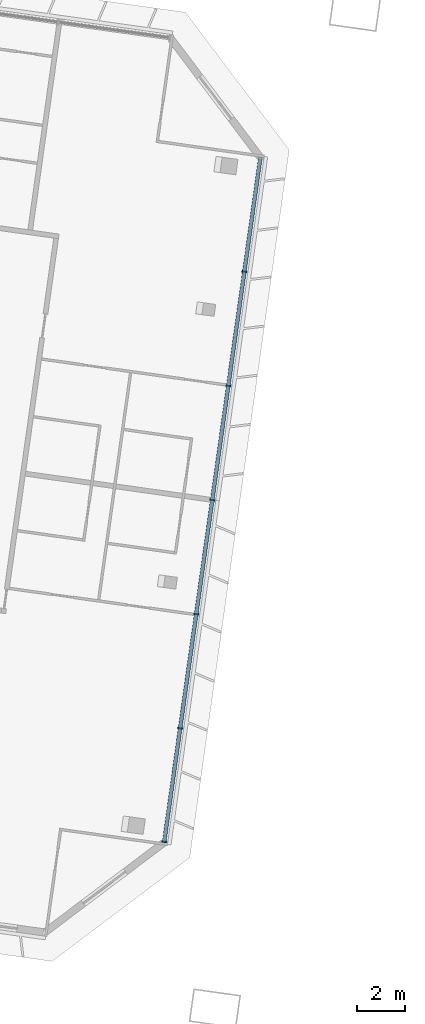
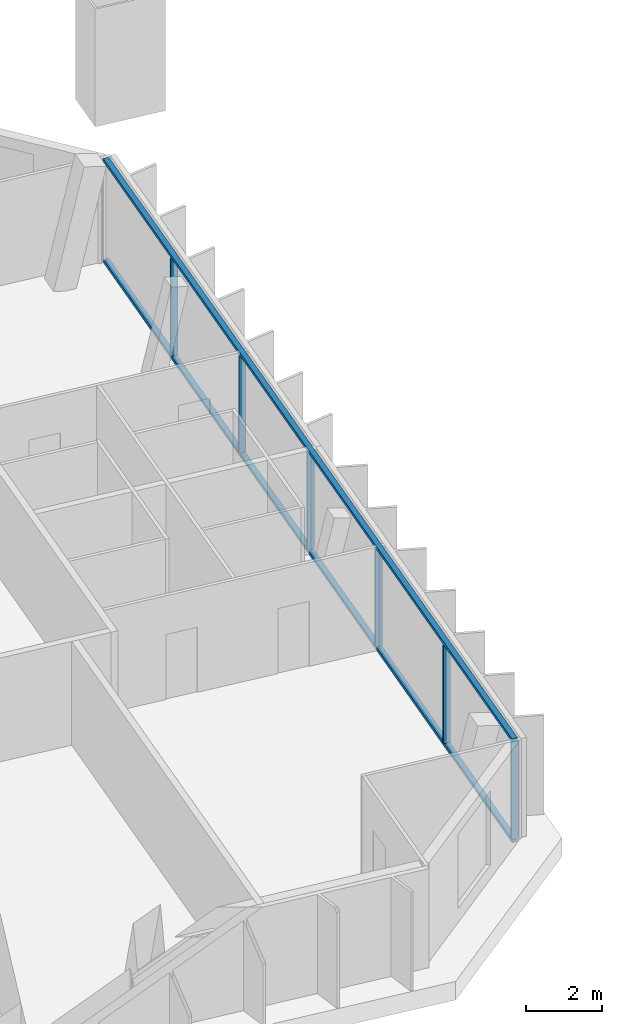
# One storey, part 5 of 25: 8 members, 1 element without a shape of its own.
"""IFC4 building model written with IfcOpenShell, lengths in metres."""

from ifc_helpers import new_model, si_unit, direction, frame, origin, origin_2d, place, context, subcontext, project, spatial, rectangle, extrude, material, material_profile, profile_set, type_object, element, aggregate, save


model = new_model("IFC4")

# Units and contexts
model_context = context("Model", 3, precision=1e-05, world=origin(), true_north=direction((0.0, 1.0)))
body_context = subcontext(model_context, "Body", "Model", "MODEL_VIEW")
ifc_project = project(units=[si_unit("LENGTHUNIT", "METRE"), si_unit("AREAUNIT", "SQUARE_METRE"), si_unit("VOLUMEUNIT", "CUBIC_METRE"), si_unit("PLANEANGLEUNIT", "RADIAN"), si_unit("MASSUNIT", "GRAM", prefix="KILO")], contexts=[model_context])

# Site, building, storey
site_placement = place(None, origin())
site = spatial("IfcSite", under=ifc_project, at=site_placement, CompositionType="ELEMENT")
building_placement = place(site_placement, origin())
building = spatial("IfcBuilding", under=site, at=building_placement, Name="Mirante Cascada Hotel Towers", CompositionType="ELEMENT")
storey_placement = place(building_placement, frame((0.0, 0.0, 247.0)))
storey = spatial("IfcBuildingStorey", under=building, at=storey_placement, Name="L59", CompositionType="ELEMENT", Elevation=247.0)

# Curtain wall, members
ifc_material_1 = material(Name="Aluminium mullion and transom frame with clear laminated glass", Category="aluminium")
curtain_wall_type = type_object("IfcCurtainWallType", Name="End ribbon curtain wall ECW2", PredefinedType="NOTDEFINED", material=ifc_material_1)
curtain_wall_placement = place(storey_placement, origin())
curtain_wall = element("IfcCurtainWall", 1, at=curtain_wall_placement, inside=storey, type_object=curtain_wall_type, Name="Inner end wall T1 L59", PredefinedType="NOTDEFINED")
ifc_material_2 = material(Name="Anodised aluminium extrusion", Category="aluminium")
ifc_material_profile_1 = material_profile(ifc_material_2, rectangle(XDim=0.2, YDim=0.065, at=origin_2d()), Name="ECW2 MULLION 65x200")
ifc_profile_set_1 = profile_set([ifc_material_profile_1], Name="Anodised aluminium extrusion")
member_type_1 = type_object("IfcMemberType", Name="ECW2 mullion 65x200", PredefinedType="MULLION", material=ifc_profile_set_1)
member_1_placement = place(storey_placement, frame((-17.9918, 6.0322, 0.1), z_axis=(0.0, 0.0, 1.0), x_axis=(0.9902681, -0.1391731, 0.0)))
member_1 = element("IfcMember", 2, at=member_1_placement, type_object=member_type_1, Name="ECW2 mullion 2", PredefinedType="MULLION", context=body_context, shape_type="SweptSolid", body=[
    extrude(rectangle(XDim=0.2, YDim=0.065, at=origin_2d()), origin(), (0.0, 0.0, 1.0), 3.15),
])
member_2_placement = place(storey_placement, frame((-18.6616, 1.2664, 0.1), z_axis=(0.0, 0.0, 1.0), x_axis=(0.9902681, -0.1391731, 0.0)))
member_2 = element("IfcMember", 3, at=member_2_placement, type_object=member_type_1, Name="ECW2 mullion 3", PredefinedType="MULLION", context=body_context, shape_type="SweptSolid", body=[
    extrude(rectangle(XDim=0.2, YDim=0.065, at=origin_2d()), origin(), (0.0, 0.0, 1.0), 3.15),
])
member_3_placement = place(storey_placement, frame((-19.3313, -3.4994, 0.1), z_axis=(0.0, 0.0, 1.0), x_axis=(0.9902681, -0.1391731, 0.0)))
member_3 = element("IfcMember", 4, at=member_3_placement, type_object=member_type_1, Name="ECW2 mullion 4", PredefinedType="MULLION", context=body_context, shape_type="SweptSolid", body=[
    extrude(rectangle(XDim=0.2, YDim=0.065, at=origin_2d()), origin(), (0.0, 0.0, 1.0), 3.15),
])
member_4_placement = place(storey_placement, frame((-20.0011, -8.2652, 0.1), z_axis=(0.0, 0.0, 1.0), x_axis=(0.9902681, -0.1391731, 0.0)))
member_4 = element("IfcMember", 5, at=member_4_placement, type_object=member_type_1, Name="ECW2 mullion 5", PredefinedType="MULLION", context=body_context, shape_type="SweptSolid", body=[
    extrude(rectangle(XDim=0.2, YDim=0.065, at=origin_2d()), origin(), (0.0, 0.0, 1.0), 3.15),
])
member_5_placement = place(storey_placement, frame((-20.6709, -13.031, 0.1), z_axis=(0.0, 0.0, 1.0), x_axis=(0.9902681, -0.1391731, 0.0)))
member_5 = element("IfcMember", 6, at=member_5_placement, type_object=member_type_1, Name="ECW2 mullion 6", PredefinedType="MULLION", context=body_context, shape_type="SweptSolid", body=[
    extrude(rectangle(XDim=0.2, YDim=0.065, at=origin_2d()), origin(), (0.0, 0.0, 1.0), 3.15),
])
member_6_placement = place(storey_placement, frame((-21.3362, -17.7646, 0.1), z_axis=(0.0, 0.0, 1.0), x_axis=(0.9902681, -0.1391731, 0.0)))
member_6 = element("IfcMember", 7, at=member_6_placement, type_object=member_type_1, Name="ECW2 mullion 7", PredefinedType="MULLION", context=body_context, shape_type="SweptSolid", body=[
    extrude(rectangle(XDim=0.2, YDim=0.065, at=origin_2d()), origin(), (0.0, 0.0, 1.0), 3.15),
])
ifc_material_3 = material(Name="Anodised aluminium extrusion", Category="aluminium")
ifc_material_profile_2 = material_profile(ifc_material_3, rectangle(XDim=0.16, YDim=0.1, at=origin_2d()), Name="ECW2 TRANSOM 100x160")
ifc_profile_set_2 = profile_set([ifc_material_profile_2], Name="Anodised aluminium extrusion")
member_type_2 = type_object("IfcMemberType", Name="ECW2 transom 100x160", PredefinedType="USERDEFINED", material=ifc_profile_set_2)
member_7_placement = place(storey_placement, frame((-17.322, 10.798, 0.05), z_axis=(-0.1391723, -0.9902682, 0.0), x_axis=(0.9902682, -0.1391723, 0.0)))
member_7 = element("IfcMember", 8, at=member_7_placement, type_object=member_type_2, Name="ECW2 sill transom", ObjectType="TRANSOM", PredefinedType="USERDEFINED", context=body_context, shape_type="SweptSolid", body=[
    extrude(rectangle(XDim=0.16, YDim=0.1, at=origin_2d()), origin(), (0.0, 0.0, 1.0), 28.8757),
])
member_8_placement = place(storey_placement, frame((-17.322, 10.798, 3.3), z_axis=(-0.1391723, -0.9902682, 0.0), x_axis=(0.9902682, -0.1391723, 0.0)))
member_8 = element("IfcMember", 9, at=member_8_placement, type_object=member_type_2, Name="ECW2 head transom", ObjectType="TRANSOM", PredefinedType="USERDEFINED", context=body_context, shape_type="SweptSolid", body=[
    extrude(rectangle(XDim=0.16, YDim=0.1, at=origin_2d()), origin(), (0.0, 0.0, 1.0), 28.8757),
])
aggregate(curtain_wall, [member_7, member_8, member_1, member_2, member_3, member_4, member_5, member_6])

save(model, "model.ifc")
